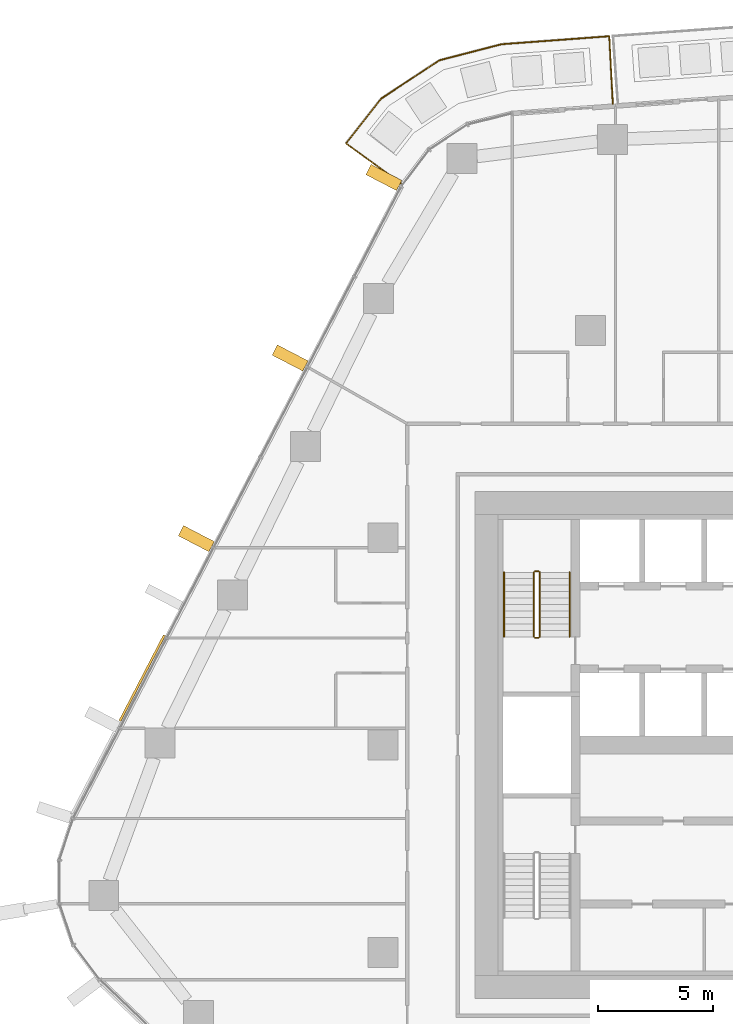
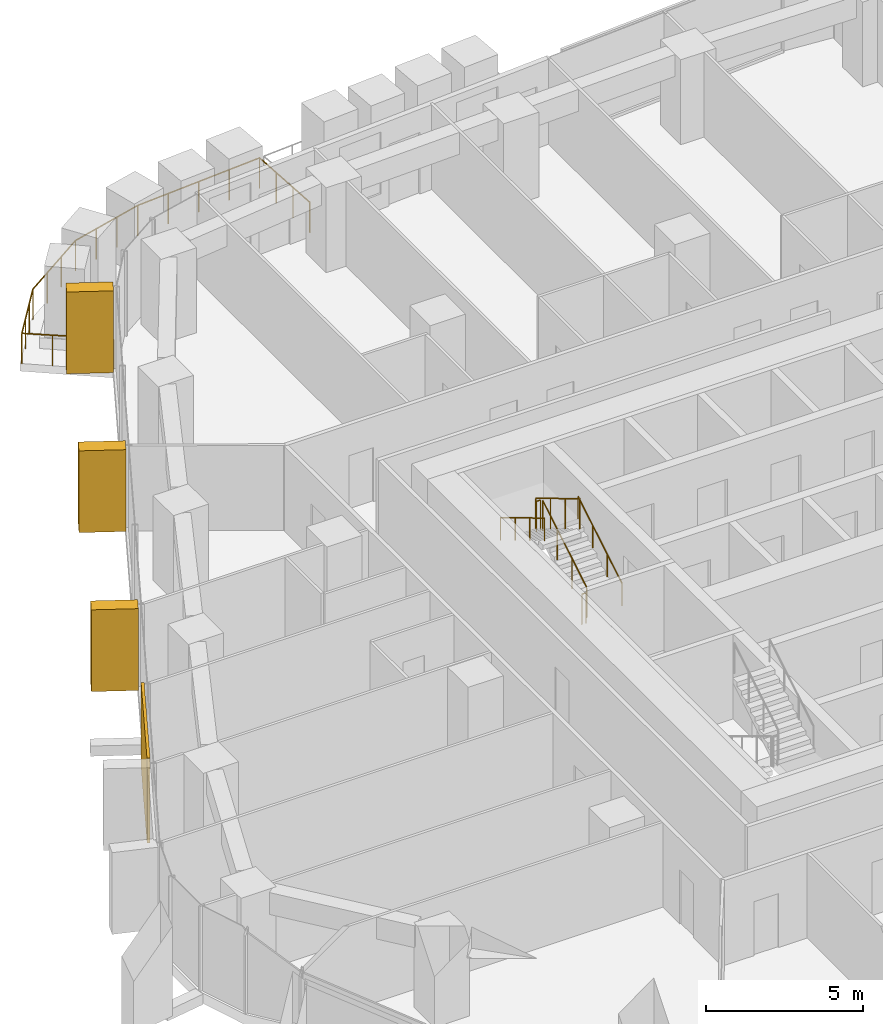
# One storey, part 22 of 24: 7 railings, 4 coverings, 1 element without a shape of its own.
"""IFC4 building model written with IfcOpenShell, lengths in metres."""

from ifc_helpers import new_model, si_unit, direction, frame, origin, origin_2d, place, context, subcontext, project, spatial, rectangle, circle, extrude, material, layer, layer_set, material_profile, profile_set, type_object, element, aggregate, save


model = new_model("IFC4")

# Units and contexts
model_context = context("Model", 3, precision=1e-05, world=origin(), true_north=direction((0.0, 1.0)))
body_context = subcontext(model_context, "Body", "Model", "MODEL_VIEW")
ifc_project = project(units=[si_unit("LENGTHUNIT", "METRE"), si_unit("AREAUNIT", "SQUARE_METRE"), si_unit("VOLUMEUNIT", "CUBIC_METRE"), si_unit("PLANEANGLEUNIT", "RADIAN"), si_unit("MASSUNIT", "GRAM", prefix="KILO")], contexts=[model_context])

# Site, building, storey
site_placement = place(None, origin())
site = spatial("IfcSite", under=ifc_project, at=site_placement, CompositionType="ELEMENT")
building_placement = place(site_placement, origin())
building = spatial("IfcBuilding", under=site, at=building_placement, Name="Dongbaek Canopy Tower", CompositionType="ELEMENT")
storey_placement = place(building_placement, frame((0.0, 0.0, 106.300048828125)))
storey = spatial("IfcBuildingStorey", under=building, at=storey_placement, Name="L22", CompositionType="ELEMENT", Elevation=106.300048828125)

# Railing
ifc_material_1 = material(Name="Stainless steel", Category="steel")
railing_type_1 = type_object("IfcRailingType", Name="Balcony balustrade 1200", PredefinedType="BALUSTRADE", material=ifc_material_1)
railing_1_placement = place(storey_placement, frame((-8.026123046875, 27.83544921875, 0.0)))
element("IfcRailing", 1, at=railing_1_placement, inside=storey, type_object=railing_type_1, Name="Balcony guard L22 7", PredefinedType="BALUSTRADE", context=body_context, shape_type="SweptSolid", body=[
    extrude(circle(Radius=0.02392578125, at=origin_2d()), frame((0.0, 0.0, 1.17578125), z_axis=(-0.051395238135, 0.998678391424, 0.0), x_axis=(-0.998678391424, -0.051395238135, 0.0)), (0.0, 0.0, 1.0), 2.9404296875),
    extrude(circle(Radius=0.02392578125, at=origin_2d()), frame((-0.151123046875, 2.9365234375, 1.17578125), z_axis=(-0.997261085005, -0.073961668002, 0.0), x_axis=(0.073961668002, -0.997261085005, 0.0)), (0.0, 0.0, 1.0), 4.697265625),
    extrude(circle(Radius=0.02392578125, at=origin_2d()), frame((-4.83544921875, 2.589111328125, 1.17578125), z_axis=(-0.96810832339, -0.250531982354, 0.0), x_axis=(0.250531982354, -0.96810832339, 0.0)), (0.0, 0.0, 1.0), 2.77734375),
    extrude(circle(Radius=0.02392578125, at=origin_2d()), frame((-7.524169921875, 1.893310546875, 1.17578125), z_axis=(-0.83547363868, -0.54953052606, 0.0), x_axis=(0.54953052606, -0.83547363868, 0.0)), (0.0, 0.0, 1.0), 3.025146484375),
    extrude(circle(Radius=0.02392578125, at=origin_2d()), frame((-10.051513671875, 0.23095703125, 1.17578125), z_axis=(-0.617895514271, -0.78626021993, 0.0), x_axis=(0.78626021993, -0.617895514271, 0.0)), (0.0, 0.0, 1.0), 2.478271484375),
    extrude(circle(Radius=0.02392578125, at=origin_2d()), frame((-11.582763671875, -1.717529296875, 1.17578125), z_axis=(0.808886844282, -0.587964346834, 0.0), x_axis=(0.587964346834, 0.808886844282, 0.0)), (0.0, 0.0, 1.0), 2.940673828125),
    extrude(circle(Radius=0.02099609375, at=origin_2d()), origin(), (0.0, 0.0, 1.0), 1.15185546875),
    extrude(circle(Radius=0.02099609375, at=origin_2d()), frame((-0.05029296875, 0.978759765625, 0.0)), (0.0, 0.0, 1.0), 1.15185546875),
    extrude(circle(Radius=0.02099609375, at=origin_2d()), frame((-0.100830078125, 1.957763671875, 0.0)), (0.0, 0.0, 1.0), 1.15185546875),
    extrude(circle(Radius=0.02099609375, at=origin_2d()), frame((-0.151123046875, 2.9365234375, 0.0)), (0.0, 0.0, 1.0), 1.15185546875),
    extrude(circle(Radius=0.02099609375, at=origin_2d()), frame((-1.322265625, 2.849609375, 0.0)), (0.0, 0.0, 1.0), 1.15185546875),
    extrude(circle(Radius=0.02099609375, at=origin_2d()), frame((-2.4931640625, 2.7626953125, 0.0)), (0.0, 0.0, 1.0), 1.15185546875),
    extrude(circle(Radius=0.02099609375, at=origin_2d()), frame((-3.664306640625, 2.676025390625, 0.0)), (0.0, 0.0, 1.0), 1.15185546875),
    extrude(circle(Radius=0.02099609375, at=origin_2d()), frame((-4.83544921875, 2.589111328125, 0.0)), (0.0, 0.0, 1.0), 1.15185546875),
    extrude(circle(Radius=0.02099609375, at=origin_2d()), frame((-5.731689453125, 2.357177734375, 0.0)), (0.0, 0.0, 1.0), 1.15185546875),
    extrude(circle(Radius=0.02099609375, at=origin_2d()), frame((-6.6279296875, 2.125244140625, 0.0)), (0.0, 0.0, 1.0), 1.15185546875),
    extrude(circle(Radius=0.02099609375, at=origin_2d()), frame((-7.524169921875, 1.893310546875, 0.0)), (0.0, 0.0, 1.0), 1.15185546875),
    extrude(circle(Radius=0.02099609375, at=origin_2d()), frame((-8.36669921875, 1.339111328125, 0.0)), (0.0, 0.0, 1.0), 1.15185546875),
    extrude(circle(Radius=0.02099609375, at=origin_2d()), frame((-9.208984375, 0.78515625, 0.0)), (0.0, 0.0, 1.0), 1.15185546875),
    extrude(circle(Radius=0.02099609375, at=origin_2d()), frame((-10.051513671875, 0.23095703125, 0.0)), (0.0, 0.0, 1.0), 1.15185546875),
    extrude(circle(Radius=0.02099609375, at=origin_2d()), frame((-10.56201171875, -0.41845703125, 0.0)), (0.0, 0.0, 1.0), 1.15185546875),
    extrude(circle(Radius=0.02099609375, at=origin_2d()), frame((-11.072265625, -1.068115234375, 0.0)), (0.0, 0.0, 1.0), 1.15185546875),
    extrude(circle(Radius=0.02099609375, at=origin_2d()), frame((-11.582763671875, -1.717529296875, 0.0)), (0.0, 0.0, 1.0), 1.15185546875),
    extrude(circle(Radius=0.02099609375, at=origin_2d()), frame((-10.789794921875, -2.2939453125, 0.0)), (0.0, 0.0, 1.0), 1.15185546875),
    extrude(circle(Radius=0.02099609375, at=origin_2d()), frame((-9.9970703125, -2.8701171875, 0.0)), (0.0, 0.0, 1.0), 1.15185546875),
    extrude(circle(Radius=0.02099609375, at=origin_2d()), frame((-9.2041015625, -3.446533203125, 0.0)), (0.0, 0.0, 1.0), 1.15185546875),
])

# Curtain wall, coverings
ifc_material_2 = material(Name="Aluminium 6063-T6 pale anodised", Category="aluminium")
ifc_layer_1 = layer(ifc_material_2, 0.199951171875)
ifc_layer_set_1 = layer_set([ifc_layer_1], Name="CW-1 unitised tower curtain wall")
curtain_wall_type = type_object("IfcCurtainWallType", Name="CW-1 unitised tower curtain wall", PredefinedType="NOTDEFINED", material=ifc_layer_set_1)
curtain_wall_placement = place(storey_placement, origin())
curtain_wall = element("IfcCurtainWall", 2, at=curtain_wall_placement, inside=storey, type_object=curtain_wall_type, Name="CW-1 curtain wall F2.1", PredefinedType="NOTDEFINED")
ifc_material_3 = material(Name="Perforated aluminium 6063-T6 pale metal screen", Category="aluminium")
ifc_layer_2 = layer(ifc_material_3, 0.10009765625)
ifc_layer_set_2 = layer_set([ifc_layer_2], Name="Facet screen FS1 100 pale metal")
covering_type_1 = type_object("IfcCoveringType", Name="Facet screen FS1 100 pale metal", PredefinedType="CLADDING", material=ifc_layer_set_2)
covering_1_placement = place(storey_placement, frame((-28.45751953125, 2.91015625, 0.0), z_axis=(0.0, 0.0, 1.0), x_axis=(-0.460879893376, -0.887462519706, 0.0)))
covering_1 = element("IfcCovering", 3, at=covering_1_placement, type_object=covering_type_1, Name="Facet screen L22 F2", PredefinedType="CLADDING", context=body_context, shape_type="SweptSolid", body=[
    extrude(rectangle(XDim=4.195556640625, YDim=0.10009765625, at=origin_2d()), origin(), (0.0, 0.0, 1.0), 3.300048828125),
])
ifc_material_4 = material(Name="Aluminium 6063-T6 pale metal fin", Category="aluminium")
ifc_material_profile = material_profile(ifc_material_4, rectangle(XDim=1.5, YDim=0.5, at=origin_2d()), Name="Fin FN1 500 x 1500 pale metal")
ifc_profile_set = profile_set([ifc_material_profile], Name="Aluminium 6063-T6 pale metal fin")
covering_type_2 = type_object("IfcCoveringType", Name="Fin FN1 500 x 1500 pale metal", PredefinedType="CLADDING", material=ifc_profile_set)
covering_2_placement = place(storey_placement, frame((-17.96630859375, 24.639404296875, 0.119873046875), z_axis=(0.0, 0.0, 1.0), x_axis=(-0.887462609411, 0.460879720641, 0.0)))
covering_2 = element("IfcCovering", 4, at=covering_2_placement, type_object=covering_type_2, Name="Fin F2.1.1", PredefinedType="CLADDING", context=body_context, shape_type="SweptSolid", body=[
    extrude(rectangle(XDim=1.5, YDim=0.5, at=origin_2d()), origin(), (0.0, 0.0, 1.0), 3.18017578125),
])
covering_3_placement = place(storey_placement, frame((-22.035888671875, 16.80322265625, 0.119873046875), z_axis=(0.0, 0.0, 1.0), x_axis=(-0.887462609411, 0.460879720641, 0.0)))
covering_3 = element("IfcCovering", 5, at=covering_3_placement, type_object=covering_type_2, Name="Fin F2.1.3", PredefinedType="CLADDING", context=body_context, shape_type="SweptSolid", body=[
    extrude(rectangle(XDim=1.5, YDim=0.5, at=origin_2d()), origin(), (0.0, 0.0, 1.0), 3.18017578125),
])
covering_4_placement = place(storey_placement, frame((-26.109375, 8.95947265625, 0.119873046875), z_axis=(0.0, 0.0, 1.0), x_axis=(-0.887462609411, 0.460879720641, 0.0)))
covering_4 = element("IfcCovering", 6, at=covering_4_placement, type_object=covering_type_2, Name="Fin F2.1.5", PredefinedType="CLADDING", context=body_context, shape_type="SweptSolid", body=[
    extrude(rectangle(XDim=1.5, YDim=0.5, at=origin_2d()), origin(), (0.0, 0.0, 1.0), 3.18017578125),
])
aggregate(curtain_wall, [covering_2, covering_3, covering_4, covering_1])

# Railings
ifc_material_5 = material(Name="Stainless steel tube and balusters", Category="steel")
railing_type_2 = type_object("IfcRailingType", Name="Stair guard 1200", PredefinedType="GUARDRAIL", material=ifc_material_5)
railing_2_placement = place(storey_placement, frame((-11.199951171875, 4.699951171875, 0.168212890625)))
element("IfcRailing", 7, at=railing_2_placement, inside=storey, type_object=railing_type_2, Name="L22 ST-C stair guard 1", PredefinedType="GUARDRAIL", context=body_context, shape_type="SweptSolid", body=[
    extrude(circle(Radius=0.02392578125, at=origin_2d()), frame((0.0, 0.0, 1.17578125), z_axis=(0.0, 0.857275202839, 0.514858452973), x_axis=(-1.0, 0.0, 0.0)), (0.0, 0.0, 1.0), 3.26611328125),
    extrude(circle(Radius=0.02099609375, at=origin_2d()), origin(), (0.0, 0.0, 1.0), 1.15185546875),
    extrude(circle(Radius=0.02099609375, at=origin_2d()), frame((0.0, 0.933349609375, 0.560546875)), (0.0, 0.0, 1.0), 1.15185546875),
    extrude(circle(Radius=0.02099609375, at=origin_2d()), frame((0.0, 1.86669921875, 1.12109375)), (0.0, 0.0, 1.0), 1.15185546875),
    extrude(circle(Radius=0.02099609375, at=origin_2d()), frame((0.0, 2.800048828125, 1.681640625)), (0.0, 0.0, 1.0), 1.15185546875),
])
railing_3_placement = place(storey_placement, frame((-11.25, 7.550048828125, 1.849853515625)))
element("IfcRailing", 8, at=railing_3_placement, inside=storey, type_object=railing_type_2, Name="L22 ST-C stair guard 2", PredefinedType="GUARDRAIL", context=body_context, shape_type="SweptSolid", body=[
    extrude(circle(Radius=0.02392578125, at=origin_2d()), frame((0.0, 0.0, 1.17578125), z_axis=(-1.0, 0.0, 0.0), x_axis=(0.0, -1.0, 0.0)), (0.0, 0.0, 1.0), 0.14990234375),
    extrude(circle(Radius=0.02099609375, at=origin_2d()), origin(), (0.0, 0.0, 1.0), 1.15185546875),
    extrude(circle(Radius=0.02099609375, at=origin_2d()), frame((-0.14990234375, 0.0, 0.0)), (0.0, 0.0, 1.0), 1.15185546875),
])
railing_4_placement = place(storey_placement, frame((-11.449951171875, 7.5, 2.01806640625)))
element("IfcRailing", 9, at=railing_4_placement, inside=storey, type_object=railing_type_2, Name="L22 ST-C stair guard 3", PredefinedType="GUARDRAIL", context=body_context, shape_type="SweptSolid", body=[
    extrude(circle(Radius=0.02392578125, at=origin_2d()), frame((0.0, 0.0, 1.17578125), z_axis=(0.0, -0.857242210791, 0.514913383045), x_axis=(1.0, 0.0, 0.0)), (0.0, 0.0, 1.0), 3.266357421875),
    extrude(circle(Radius=0.02099609375, at=origin_2d()), origin(), (0.0, 0.0, 1.0), 1.15185546875),
    extrude(circle(Radius=0.02099609375, at=origin_2d()), frame((0.0, -0.933349609375, 0.560546875)), (0.0, 0.0, 1.0), 1.15185546875),
    extrude(circle(Radius=0.02099609375, at=origin_2d()), frame((0.0, -1.86669921875, 1.121337890625)), (0.0, 0.0, 1.0), 1.15185546875),
    extrude(circle(Radius=0.02099609375, at=origin_2d()), frame((0.0, -2.800048828125, 1.681884765625)), (0.0, 0.0, 1.0), 1.15185546875),
])
railing_5_placement = place(storey_placement, frame((-11.25, 4.64990234375, 0.0)))
element("IfcRailing", 10, at=railing_5_placement, inside=storey, type_object=railing_type_2, Name="L22 ST-C stair guard 4", PredefinedType="GUARDRAIL", context=body_context, shape_type="SweptSolid", body=[
    extrude(circle(Radius=0.02392578125, at=origin_2d()), frame((0.0, 0.0, 1.17578125), z_axis=(-1.0, 0.0, 0.0), x_axis=(0.0, -1.0, 0.0)), (0.0, 0.0, 1.0), 0.14990234375),
    extrude(circle(Radius=0.02099609375, at=origin_2d()), origin(), (0.0, 0.0, 1.0), 1.15185546875),
    extrude(circle(Radius=0.02099609375, at=origin_2d()), frame((-0.14990234375, 0.0, 0.0)), (0.0, 0.0, 1.0), 1.15185546875),
])
ifc_material_6 = material(Name="Stainless steel tube", Category="steel")
railing_type_3 = type_object("IfcRailingType", Name="Stair handrail 900", PredefinedType="HANDRAIL", material=ifc_material_6)
railing_6_placement = place(storey_placement, frame((-9.89990234375, 4.699951171875, 0.168212890625)))
element("IfcRailing", 11, at=railing_6_placement, inside=storey, type_object=railing_type_3, Name="L22 ST-C stair handrail 1", PredefinedType="HANDRAIL", context=body_context, shape_type="SweptSolid", body=[
    extrude(circle(Radius=0.02392578125, at=origin_2d()), frame((0.0, 0.0, 0.8759765625), z_axis=(0.0, 0.857275202839, 0.514858452973), x_axis=(-1.0, 0.0, 0.0)), (0.0, 0.0, 1.0), 3.26611328125),
    extrude(circle(Radius=0.02099609375, at=origin_2d()), origin(), (0.0, 0.0, 1.0), 0.851806640625),
    extrude(circle(Radius=0.02099609375, at=origin_2d()), frame((0.0, 0.933349609375, 0.560546875)), (0.0, 0.0, 1.0), 0.851806640625),
    extrude(circle(Radius=0.02099609375, at=origin_2d()), frame((0.0, 1.86669921875, 1.12109375)), (0.0, 0.0, 1.0), 0.851806640625),
    extrude(circle(Radius=0.02099609375, at=origin_2d()), frame((0.0, 2.800048828125, 1.681640625)), (0.0, 0.0, 1.0), 0.851806640625),
])
railing_7_placement = place(storey_placement, frame((-12.75, 7.5, 2.01806640625)))
element("IfcRailing", 12, at=railing_7_placement, inside=storey, type_object=railing_type_3, Name="L22 ST-C stair handrail 2", PredefinedType="HANDRAIL", context=body_context, shape_type="SweptSolid", body=[
    extrude(circle(Radius=0.02392578125, at=origin_2d()), frame((0.0, 0.0, 0.8759765625), z_axis=(0.0, -0.857242210791, 0.514913383045), x_axis=(1.0, 0.0, 0.0)), (0.0, 0.0, 1.0), 3.266357421875),
    extrude(circle(Radius=0.02099609375, at=origin_2d()), origin(), (0.0, 0.0, 1.0), 0.851806640625),
    extrude(circle(Radius=0.02099609375, at=origin_2d()), frame((0.0, -0.933349609375, 0.560546875)), (0.0, 0.0, 1.0), 0.851806640625),
    extrude(circle(Radius=0.02099609375, at=origin_2d()), frame((0.0, -1.86669921875, 1.121337890625)), (0.0, 0.0, 1.0), 0.851806640625),
    extrude(circle(Radius=0.02099609375, at=origin_2d()), frame((0.0, -2.800048828125, 1.681884765625)), (0.0, 0.0, 1.0), 0.851806640625),
])

save(model, "model.ifc")
